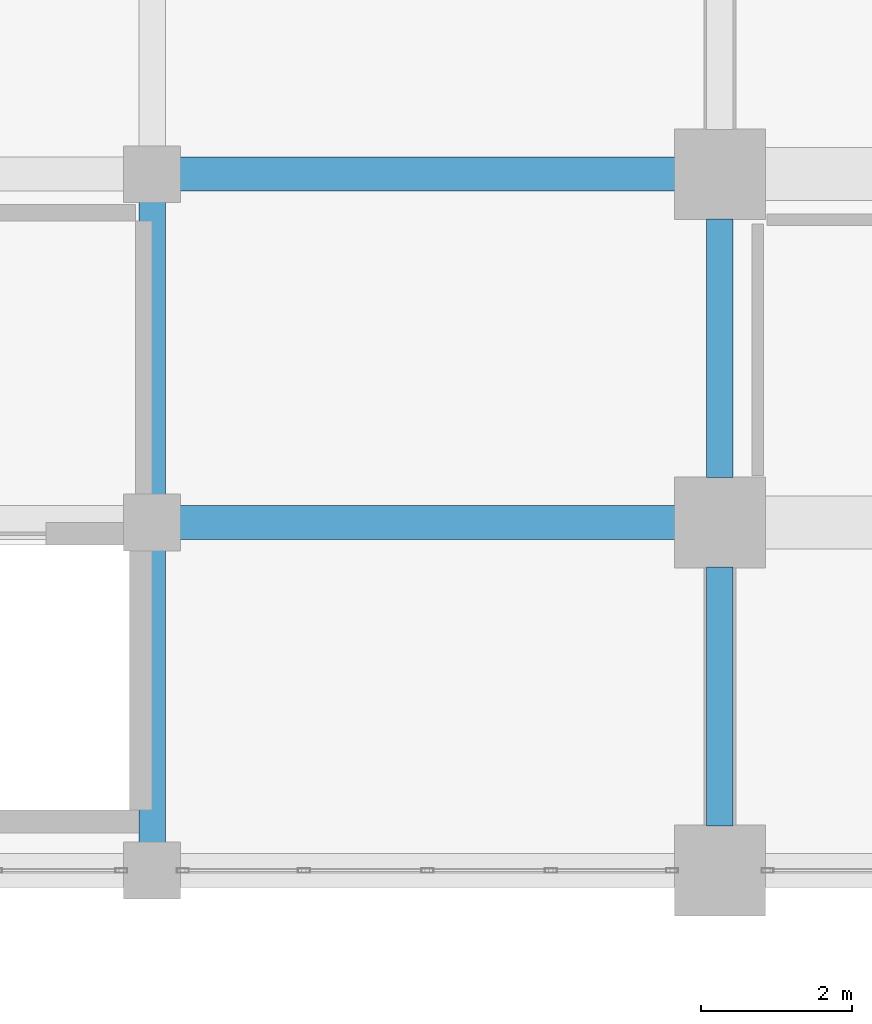
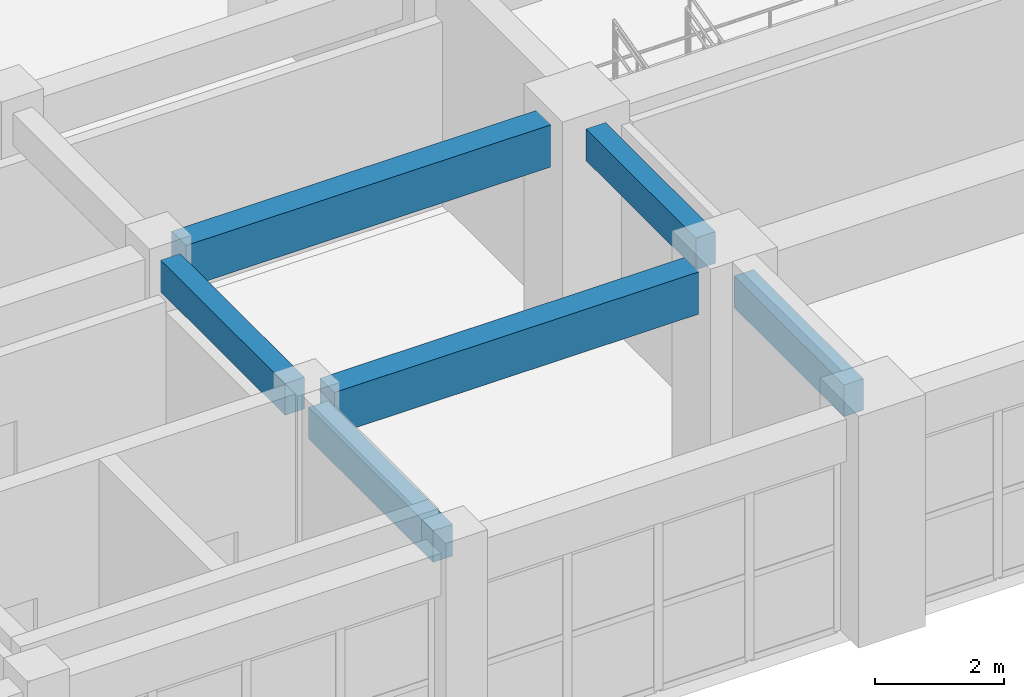
# One storey, part 36 of 116: 6 beams.
"""IFC4 building model written with IfcOpenShell, lengths in metres."""

from ifc_helpers import new_model, si_unit, direction, frame, origin, origin_2d, place, context, subcontext, project, spatial, rectangle, extrude, material, material_profile, profile_set, type_object, element, save


model = new_model("IFC4")

# Units and contexts
model_context = context("Model", 3, precision=1e-05, world=origin(), true_north=direction((0.0, 1.0)))
body_context = subcontext(model_context, "Body", "Model", "MODEL_VIEW")
ifc_project = project(units=[si_unit("LENGTHUNIT", "METRE"), si_unit("AREAUNIT", "SQUARE_METRE"), si_unit("VOLUMEUNIT", "CUBIC_METRE"), si_unit("PLANEANGLEUNIT", "RADIAN"), si_unit("MASSUNIT", "GRAM", prefix="KILO")], contexts=[model_context])

# Site, building, storey
site_placement = place(None, origin())
site = spatial("IfcSite", under=ifc_project, at=site_placement, CompositionType="ELEMENT")
building_placement = place(site_placement, origin())
building = spatial("IfcBuilding", under=site, at=building_placement, Name="Muzn Square Opera House", CompositionType="ELEMENT")
storey_placement = place(building_placement, frame((0.0, 0.0, 5.39990234375)))
storey = spatial("IfcBuildingStorey", under=building, at=storey_placement, Name="L01", CompositionType="ELEMENT", Elevation=5.39990234375)

# Beams
ifc_material = material(Name="Concrete C40/50", Category="concrete")
ifc_material_profile_1 = material_profile(ifc_material, rectangle(XDim=0.35009765625, YDim=0.60009765625, at=origin_2d()), Name="RCB 350x600", Category="concrete")
ifc_profile_set_1 = profile_set([ifc_material_profile_1], Name="Concrete C40/50")
beam_type_1 = type_object("IfcBeamType", Name="Primary Girder 350x600", PredefinedType="BEAM", material=ifc_profile_set_1)
for number, where, z_axis, x_axis, name in (
    (1, (65.5, 22.366943359375, 3.820068359375), (0.0, 1.0, 0.0), (-1.0, 0.0, 0.0), "Primary Girder BM-L01-BM-PG600-655_224_655_262-1635"),
    (2, (65.5, 26.967041015625, 3.820068359375), (0.0, 1.0, 0.0), (-1.0, 0.0, 0.0), "Primary Girder BM-L01-BM-PG600-655_270_655_308-1636"),
):
    element("IfcBeam", number, at=place(storey_placement, frame(where, z_axis=z_axis, x_axis=x_axis)), inside=storey, type_object=beam_type_1, Name=name, PredefinedType="BEAM", context=body_context, shape_type="SweptSolid", body=[
        extrude(rectangle(XDim=0.35009765625, YDim=0.60009765625, at=origin_2d()), origin(), (0.0, 0.0, 1.0), 3.865966796875),
    ])
for number, where, z_axis, x_axis, name in (
    (3, (73.0, 22.592041015625, 3.820068359375), (0.0, 1.0, 0.0), (-1.0, 0.0, 0.0), "Primary Girder BM-L01-BM-PG600-730_226_730_260-1644"),
    (4, (73.0, 27.19189453125, 3.820068359375), (0.0, 1.0, 0.0), (-1.0, 0.0, 0.0), "Primary Girder BM-L01-BM-PG600-730_272_730_306-1645"),
):
    element("IfcBeam", number, at=place(storey_placement, frame(where, z_axis=z_axis, x_axis=x_axis)), inside=storey, type_object=beam_type_1, Name=name, PredefinedType="BEAM", context=body_context, shape_type="SweptSolid", body=[
        extrude(rectangle(XDim=0.35009765625, YDim=0.60009765625, at=origin_2d()), origin(), (0.0, 0.0, 1.0), 3.416015625),
    ])
ifc_material_profile_2 = material_profile(ifc_material, rectangle(XDim=0.449951171875, YDim=0.800048828125, at=origin_2d()), Name="RCB 450x800", Category="concrete")
ifc_profile_set_2 = profile_set([ifc_material_profile_2], Name="Concrete C40/50")
beam_type_2 = type_object("IfcBeamType", Name="Primary Girder 450x800", PredefinedType="BEAM", material=ifc_profile_set_2)
for number, where, z_axis, x_axis, name in (
    (5, (65.866943359375, 26.60009765625, 3.72021484375), (1.0, 0.0, 0.0), (0.0, 1.0, 0.0), "Primary Girder BM-L01-BM-PG800-659_266_724_266-1302"),
    (6, (65.866943359375, 31.199951171875, 3.72021484375), (1.0, 0.0, 0.0), (0.0, 1.0, 0.0), "Primary Girder BM-L01-BM-PG800-659_312_724_312-1321"),
):
    element("IfcBeam", number, at=place(storey_placement, frame(where, z_axis=z_axis, x_axis=x_axis)), inside=storey, type_object=beam_type_2, Name=name, PredefinedType="BEAM", context=body_context, shape_type="SweptSolid", body=[
        extrude(rectangle(XDim=0.449951171875, YDim=0.800048828125, at=origin_2d()), origin(), (0.0, 0.0, 1.0), 6.541015625),
    ])

save(model, "model.ifc")
